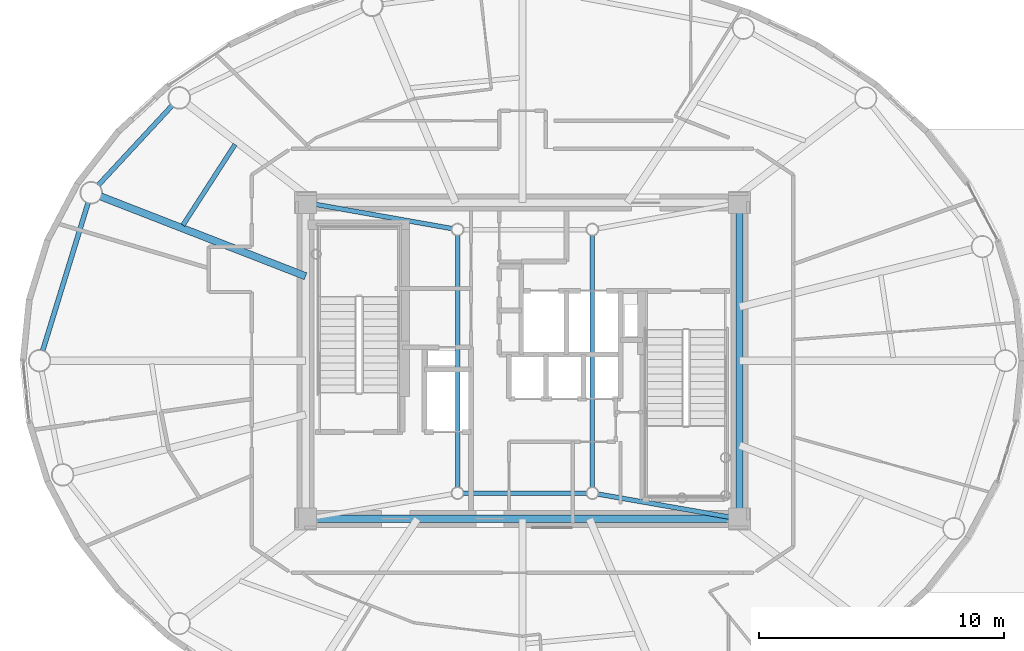
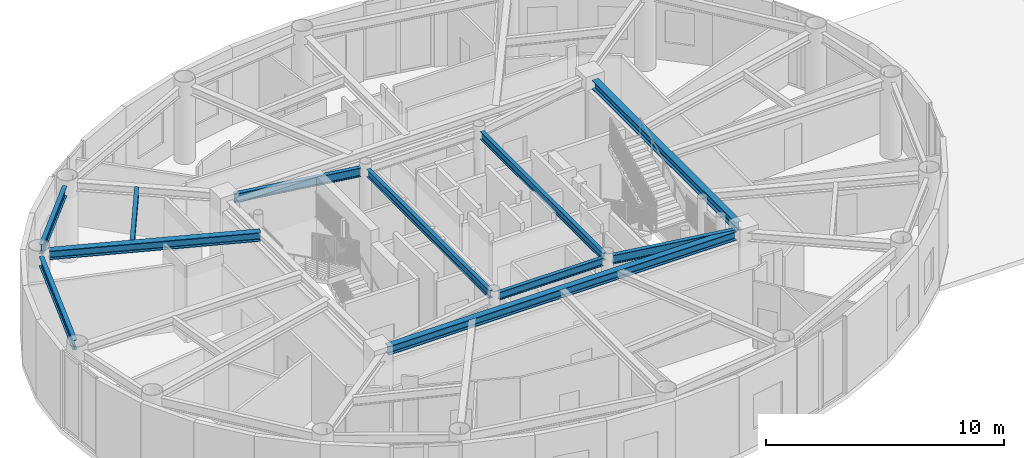
# One storey, part 7 of 24: 11 beams.
"""IFC4 building model written with IfcOpenShell, lengths in metres."""

from ifc_helpers import new_model, si_unit, direction, frame, origin, origin_2d, place, context, subcontext, project, spatial, i_section, extrude, material, material_profile, profile_set, type_object, element, save


model = new_model("IFC4")

# Units and contexts
model_context = context("Model", 3, precision=1e-05, world=origin(), true_north=direction((0.0, 1.0)))
body_context = subcontext(model_context, "Body", "Model", "MODEL_VIEW")
ifc_project = project(units=[si_unit("LENGTHUNIT", "METRE"), si_unit("AREAUNIT", "SQUARE_METRE"), si_unit("VOLUMEUNIT", "CUBIC_METRE"), si_unit("PLANEANGLEUNIT", "RADIAN"), si_unit("MASSUNIT", "GRAM", prefix="KILO")], contexts=[model_context])

# Site, building, storey
site_placement = place(None, origin())
site = spatial("IfcSite", under=ifc_project, at=site_placement, CompositionType="ELEMENT")
building_placement = place(site_placement, origin())
building = spatial("IfcBuilding", under=site, at=building_placement, Name="Linh Dai School and Residence Tower", CompositionType="ELEMENT")
storey_placement = place(building_placement, frame((0.0, 0.0, 355.199951171875)))
storey = spatial("IfcBuildingStorey", under=building, at=storey_placement, Name="L88", CompositionType="ELEMENT", Elevation=355.199951171875)

# Beams
ifc_material = material(Name="Structural Steel S355JR", Category="steel")
ifc_material_profile_1 = material_profile(ifc_material, i_section(OverallWidth=0.199951171875, OverallDepth=0.5, WebThickness=0.01025390625, FlangeThickness=0.01611328125, FilletRadius=0.02099609375, at=origin_2d()), Name="IPE 500")
ifc_profile_set_1 = profile_set([ifc_material_profile_1], Name="Structural Steel S355JR")
beam_type_1 = type_object("IfcBeamType", Name="BM-RB50", PredefinedType="BEAM", material=ifc_profile_set_1)
beam_1_placement = place(storey_placement, frame((21.7119140625, 37.4150390625, 3.699951171875), z_axis=(-0.680339330162, -0.732897261446, 0.0), x_axis=(0.732897261446, -0.680339330162, 0.0)))
element("IfcBeam", 1, at=beam_1_placement, inside=storey, type_object=beam_type_1, Name="L88 Perimeter Elliptical Ring Beam 07", PredefinedType="BEAM", context=body_context, shape_type="SweptSolid", body=[
    extrude(i_section(OverallWidth=0.199951171875, OverallDepth=0.5, WebThickness=0.01025390625, FlangeThickness=0.01611328125, FilletRadius=0.02099609375, at=origin_2d()), origin(), (0.0, 0.0, 1.0), 4.440673828125),
])
beam_2_placement = place(storey_placement, frame((18.281494140625, 33.451171875, 3.699951171875), z_axis=(-0.293606003102, -0.955926521728, 0.0), x_axis=(0.955926521728, -0.293606003102, 0.0)))
element("IfcBeam", 2, at=beam_2_placement, inside=storey, type_object=beam_type_1, Name="L88 Perimeter Elliptical Ring Beam 08", PredefinedType="BEAM", context=body_context, shape_type="SweptSolid", body=[
    extrude(i_section(OverallWidth=0.199951171875, OverallDepth=0.5, WebThickness=0.01025390625, FlangeThickness=0.01611328125, FilletRadius=0.02099609375, at=origin_2d()), origin(), (0.0, 0.0, 1.0), 6.32861328125),
])
ifc_material_profile_2 = material_profile(ifc_material, i_section(OverallWidth=0.300048828125, OverallDepth=0.449951171875, WebThickness=0.013916015625, FlangeThickness=0.02587890625, FilletRadius=0.027099609375, at=origin_2d()), Name="HEB 450")
ifc_profile_set_2 = profile_set([ifc_material_profile_2], Name="Structural Steel S355JR")
beam_type_2 = type_object("IfcBeamType", Name="BM-RG45", PredefinedType="BEAM", material=ifc_profile_set_2)
beam_3_placement = place(storey_placement, frame((27.570068359375, 20.550048828125, 3.72509765625), z_axis=(1.0, 0.0, 0.0), x_axis=(0.0, 1.0, 0.0)))
element("IfcBeam", 3, at=beam_3_placement, inside=storey, type_object=beam_type_2, Name="L88 Core Perimeter Coupling Girder 1", PredefinedType="BEAM", context=body_context, shape_type="SweptSolid", body=[
    extrude(i_section(OverallWidth=0.300048828125, OverallDepth=0.449951171875, WebThickness=0.013916015625, FlangeThickness=0.02587890625, FilletRadius=0.027099609375, at=origin_2d()), origin(), (0.0, 0.0, 1.0), 16.85986328125),
])
beam_4_placement = place(storey_placement, frame((44.85009765625, 20.969970703125, 3.72509765625), z_axis=(0.0, 1.0, 0.0), x_axis=(-1.0, 0.0, 0.0)))
element("IfcBeam", 4, at=beam_4_placement, inside=storey, type_object=beam_type_2, Name="L88 Core Perimeter Coupling Girder 2", PredefinedType="BEAM", context=body_context, shape_type="SweptSolid", body=[
    extrude(i_section(OverallWidth=0.300048828125, OverallDepth=0.449951171875, WebThickness=0.013916015625, FlangeThickness=0.02587890625, FilletRadius=0.027099609375, at=origin_2d()), origin(), (0.0, 0.0, 1.0), 12.06005859375),
])
beam_5_placement = place(storey_placement, frame((27.14990234375, 30.44677734375, 3.72509765625), z_axis=(-0.931822607816, 0.362914077384, 0.0), x_axis=(-0.362914077384, -0.931822607816, 0.0)))
element("IfcBeam", 5, at=beam_5_placement, inside=storey, type_object=beam_type_2, Name="L88 Primary Radial Floor Girder 08", PredefinedType="BEAM", context=body_context, shape_type="SweptSolid", body=[
    extrude(i_section(OverallWidth=0.300048828125, OverallDepth=0.449951171875, WebThickness=0.013916015625, FlangeThickness=0.02587890625, FilletRadius=0.027099609375, at=origin_2d()), origin(), (0.0, 0.0, 1.0), 8.964599609375),
])
ifc_material_profile_3 = material_profile(ifc_material, i_section(OverallWidth=0.179931640625, OverallDepth=0.39990234375, WebThickness=0.008544921875, FlangeThickness=0.013427734375, FilletRadius=0.02099609375, at=origin_2d()), Name="IPE 400")
ifc_profile_set_3 = profile_set([ifc_material_profile_3], Name="Structural Steel S355JR")
beam_type_3 = type_object("IfcBeamType", Name="BM-SB40", PredefinedType="BEAM", material=ifc_profile_set_3)
beam_6_placement = place(storey_placement, frame((33.573974609375, 21.60009765625, 3.75), z_axis=(1.0, 0.0, 0.0), x_axis=(0.0, 1.0, 0.0)))
element("IfcBeam", 6, at=beam_6_placement, inside=storey, type_object=beam_type_3, Name="L88 Core Mast Pier Tie Beam 1", PredefinedType="BEAM", context=body_context, shape_type="SweptSolid", body=[
    extrude(i_section(OverallWidth=0.179931640625, OverallDepth=0.39990234375, WebThickness=0.008544921875, FlangeThickness=0.013427734375, FilletRadius=0.02099609375, at=origin_2d()), origin(), (0.0, 0.0, 1.0), 5.052001953125),
])
for number, where, z_axis, x_axis, name in (
    (7, (38.85009765625, 21.823974609375, 3.75), (0.0, 1.0, 0.0), (-1.0, 0.0, 0.0), "L88 Core Mast Pier Tie Beam 2"),
    (8, (33.35009765625, 32.1259765625, 3.75), (0.0, -1.0, 0.0), (1.0, 0.0, 0.0), "L88 Core Mast Pier Tie Beam 4"),
):
    element("IfcBeam", number, at=place(storey_placement, frame(where, z_axis=z_axis, x_axis=x_axis)), inside=storey, type_object=beam_type_3, Name=name, PredefinedType="BEAM", context=body_context, shape_type="SweptSolid", body=[
        extrude(i_section(OverallWidth=0.179931640625, OverallDepth=0.39990234375, WebThickness=0.008544921875, FlangeThickness=0.013427734375, FilletRadius=0.02099609375, at=origin_2d()), origin(), (0.0, 0.0, 1.0), 10.302001953125),
    ])
ifc_material_profile_4 = material_profile(ifc_material, i_section(OverallWidth=0.18994140625, OverallDepth=0.449951171875, WebThickness=0.009521484375, FlangeThickness=0.0146484375, FilletRadius=0.02099609375, at=origin_2d()), Name="IPE 450")
ifc_profile_set_4 = profile_set([ifc_material_profile_4], Name="Structural Steel S355JR")
beam_type_4 = type_object("IfcBeamType", Name="BM-SB45", PredefinedType="BEAM", material=ifc_profile_set_4)
beam_7_placement = place(storey_placement, frame((44.436279296875, 20.622314453125, 3.72509765625), z_axis=(-0.985031608673, 0.17237380867, 0.0), x_axis=(-0.17237380867, -0.985031608673, 0.0)))
element("IfcBeam", 9, at=beam_7_placement, inside=storey, type_object=beam_type_4, Name="L88 Core Corner-to-Mast Pier Beam 2", PredefinedType="BEAM", context=body_context, shape_type="SweptSolid", body=[
    extrude(i_section(OverallWidth=0.18994140625, OverallDepth=0.449951171875, WebThickness=0.009521484375, FlangeThickness=0.0146484375, FilletRadius=0.02099609375, at=origin_2d()), origin(), (0.0, 0.0, 1.0), 5.447265625),
])
beam_8_placement = place(storey_placement, frame((27.5634765625, 33.376708984375, 3.72509765625), z_axis=(0.984621828197, -0.174699328672, 0.0), x_axis=(0.174699328672, 0.984621828197, 0.0)))
element("IfcBeam", 10, at=beam_8_placement, inside=storey, type_object=beam_type_4, Name="L88 Core Corner-to-Mast Pier Beam 4", PredefinedType="BEAM", context=body_context, shape_type="SweptSolid", body=[
    extrude(i_section(OverallWidth=0.18994140625, OverallDepth=0.449951171875, WebThickness=0.009521484375, FlangeThickness=0.0146484375, FilletRadius=0.02099609375, at=origin_2d()), origin(), (0.0, 0.0, 1.0), 5.65283203125),
])
beam_9_placement = place(storey_placement, frame((24.2705078125, 35.819091796875, 3.72509765625), z_axis=(-0.54228601876, -0.840193950143, 0.0), x_axis=(0.840193950143, -0.54228601876, 0.0)))
element("IfcBeam", 11, at=beam_9_placement, inside=storey, type_object=beam_type_4, Name="L88 Secondary Circumferential Floor Beam 04", PredefinedType="BEAM", context=body_context, shape_type="SweptSolid", body=[
    extrude(i_section(OverallWidth=0.18994140625, OverallDepth=0.449951171875, WebThickness=0.009521484375, FlangeThickness=0.0146484375, FilletRadius=0.02099609375, at=origin_2d()), origin(), (0.0, 0.0, 1.0), 3.9130859375),
])

save(model, "model.ifc")
